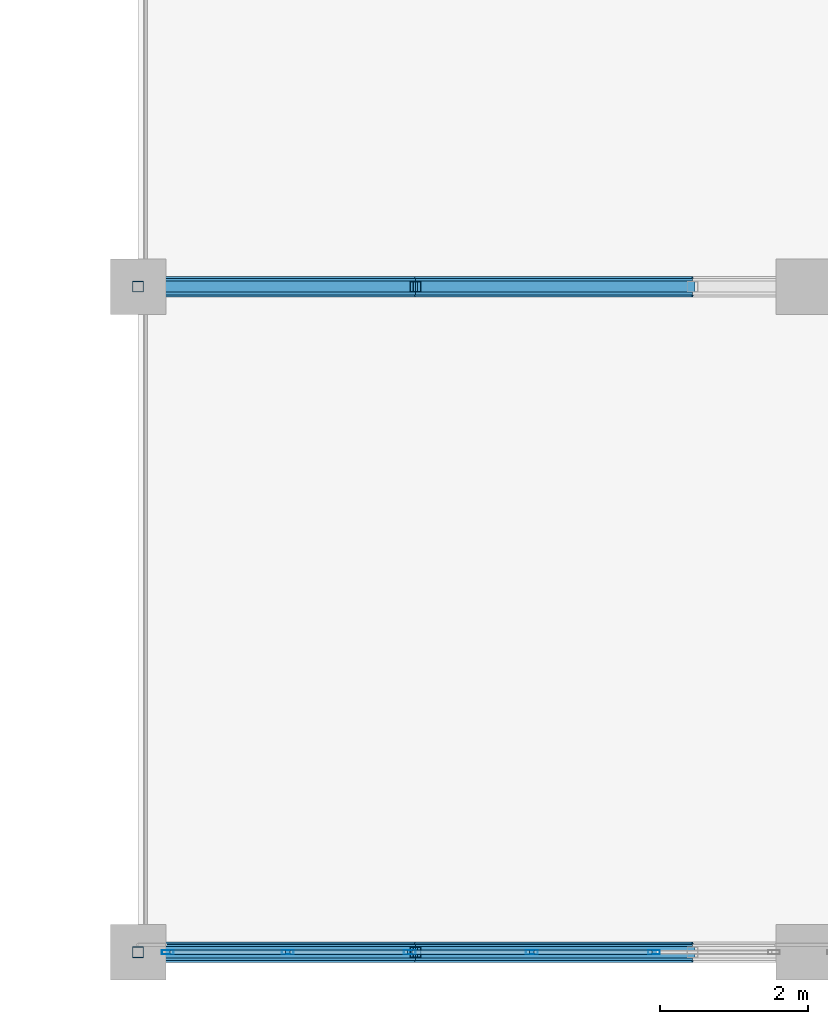
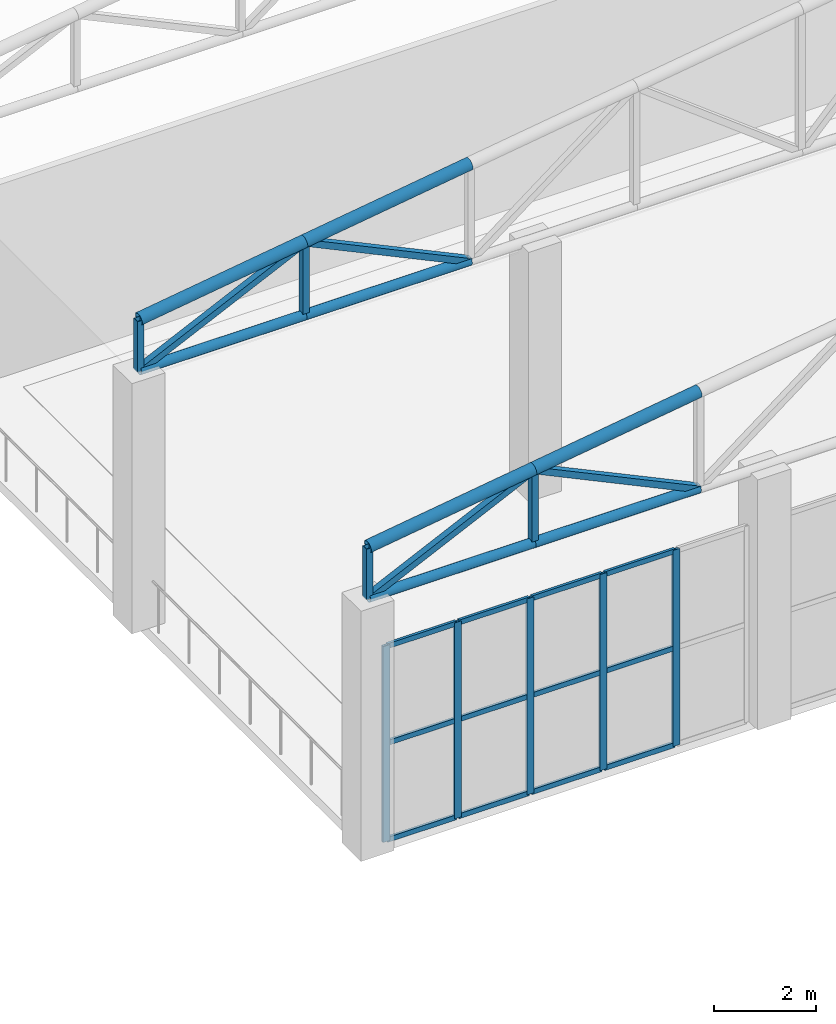
# One storey, part 42 of 223: 33 members, 1 element without a shape of its own.
"""IFC4 building model written with IfcOpenShell, lengths in metres."""

from ifc_helpers import new_model, si_unit, direction, frame, origin, origin_2d, place, context, subcontext, project, spatial, hollow_rectangle, hollow_circle, extrude, material, layer, layer_set, material_profile, profile_set, type_object, element, aggregate, save


model = new_model("IFC4")

# Units and contexts
model_context = context("Model", 3, precision=1e-05, world=origin(), true_north=direction((0.0, 1.0)))
body_context = subcontext(model_context, "Body", "Model", "MODEL_VIEW")
ifc_project = project(units=[si_unit("LENGTHUNIT", "METRE"), si_unit("AREAUNIT", "SQUARE_METRE"), si_unit("VOLUMEUNIT", "CUBIC_METRE"), si_unit("PLANEANGLEUNIT", "RADIAN"), si_unit("MASSUNIT", "GRAM", prefix="KILO")], contexts=[model_context])

# Site, building, storey
site_placement = place(None, origin())
site = spatial("IfcSite", under=ifc_project, at=site_placement, CompositionType="ELEMENT")
building_placement = place(site_placement, origin())
building = spatial("IfcBuilding", under=site, at=building_placement, Name="Dornveld Trade and Exhibition Forum", CompositionType="ELEMENT")
storey_placement = place(building_placement, frame((0.0, 0.0, 6.0)))
storey = spatial("IfcBuildingStorey", under=building, at=storey_placement, Name="L01", CompositionType="ELEMENT", Elevation=6.0)

# Curtain wall, members
ifc_material_1 = material(Name="Dark-bronze anodised aluminium and low-E glass", Category="aluminium")
ifc_layer = layer(ifc_material_1, 0.1630859375)
ifc_layer_set = layer_set([ifc_layer], Name="Dark-bronze anodised aluminium and low-E glass")
curtain_wall_type = type_object("IfcCurtainWallType", Name="CW-SYS-07", PredefinedType="USERDEFINED", material=ifc_layer_set)
curtain_wall_placement = place(storey_placement, origin())
curtain_wall = element("IfcCurtainWall", 1, at=curtain_wall_placement, inside=storey, type_object=curtain_wall_type, Name="L01 unitised curtain wall 133", ObjectType="UNITISED_CURTAIN_WALL", PredefinedType="USERDEFINED")
ifc_material_2 = material(Name="Dark-bronze anodised aluminium", Category="aluminium")
ifc_material_profile_1 = material_profile(ifc_material_2, hollow_rectangle(XDim=0.06005859375, YDim=0.159912109375, WallThickness=0.00390625, at=origin_2d()), Name="RHS 160x60x4")
ifc_profile_set_1 = profile_set([ifc_material_profile_1], Name="Dark-bronze anodised aluminium")
member_type_1 = type_object("IfcMemberType", Name="CW-MUL-160", PredefinedType="MULLION", material=ifc_profile_set_1)
member_1_placement = place(storey_placement, frame((153.40087890625, 0.0, -0.00390625), z_axis=(0.0, 0.0, 1.0), x_axis=(0.0, 1.0, 0.0)))
member_1 = element("IfcMember", 2, at=member_1_placement, type_object=member_type_1, Name="CW-07 mullion 1", PredefinedType="MULLION", context=body_context, shape_type="SweptSolid", body=[
    extrude(hollow_rectangle(XDim=0.06005859375, YDim=0.159912109375, WallThickness=0.00390625, at=origin_2d()), origin(), (0.0, 0.0, 1.0), 4.703857421875),
])
member_2_placement = place(storey_placement, frame((155.022705078125, 0.0, -0.00390625), z_axis=(0.0, 0.0, 1.0), x_axis=(0.0, 1.0, 0.0)))
member_2 = element("IfcMember", 3, at=member_2_placement, type_object=member_type_1, Name="CW-07 mullion 2", PredefinedType="MULLION", context=body_context, shape_type="SweptSolid", body=[
    extrude(hollow_rectangle(XDim=0.06005859375, YDim=0.159912109375, WallThickness=0.00390625, at=origin_2d()), origin(), (0.0, 0.0, 1.0), 4.703857421875),
])
member_3_placement = place(storey_placement, frame((156.67431640625, 0.0, -0.00390625), z_axis=(0.0, 0.0, 1.0), x_axis=(0.0, 1.0, 0.0)))
member_3 = element("IfcMember", 4, at=member_3_placement, type_object=member_type_1, Name="CW-07 mullion 3", PredefinedType="MULLION", context=body_context, shape_type="SweptSolid", body=[
    extrude(hollow_rectangle(XDim=0.06005859375, YDim=0.159912109375, WallThickness=0.00390625, at=origin_2d()), origin(), (0.0, 0.0, 1.0), 4.703857421875),
])
member_4_placement = place(storey_placement, frame((158.32568359375, 0.0, -0.00390625), z_axis=(0.0, 0.0, 1.0), x_axis=(0.0, 1.0, 0.0)))
member_4 = element("IfcMember", 5, at=member_4_placement, type_object=member_type_1, Name="CW-07 mullion 4", PredefinedType="MULLION", context=body_context, shape_type="SweptSolid", body=[
    extrude(hollow_rectangle(XDim=0.06005859375, YDim=0.159912109375, WallThickness=0.00390625, at=origin_2d()), origin(), (0.0, 0.0, 1.0), 4.703857421875),
])
member_5_placement = place(storey_placement, frame((159.977294921875, 0.0, -0.00390625), z_axis=(0.0, 0.0, 1.0), x_axis=(0.0, 1.0, 0.0)))
member_5 = element("IfcMember", 6, at=member_5_placement, type_object=member_type_1, Name="CW-07 mullion 5", PredefinedType="MULLION", context=body_context, shape_type="SweptSolid", body=[
    extrude(hollow_rectangle(XDim=0.06005859375, YDim=0.159912109375, WallThickness=0.00390625, at=origin_2d()), origin(), (0.0, 0.0, 1.0), 4.703857421875),
])
ifc_material_3 = material(Name="Dark-bronze anodised aluminium", Category="aluminium")
ifc_material_profile_2 = material_profile(ifc_material_3, hollow_rectangle(XDim=0.06005859375, YDim=0.1201171875, WallThickness=0.00390625, at=origin_2d()), Name="RHS 120x60x4")
ifc_profile_set_2 = profile_set([ifc_material_profile_2], Name="Dark-bronze anodised aluminium")
member_type_2 = type_object("IfcMemberType", Name="CW-TRN-120", PredefinedType="USERDEFINED", material=ifc_profile_set_2)
member_6_placement = place(storey_placement, frame((153.430908203125, 0.0, 0.02587890625), z_axis=(1.0, 0.0, 0.0), x_axis=(0.0, 1.0, 0.0)))
member_6 = element("IfcMember", 7, at=member_6_placement, type_object=member_type_2, Name="CW-07 transom 1.1", ObjectType="TRANSOM", PredefinedType="USERDEFINED", context=body_context, shape_type="SweptSolid", body=[
    extrude(hollow_rectangle(XDim=0.06005859375, YDim=0.1201171875, WallThickness=0.00390625, at=origin_2d()), origin(), (0.0, 0.0, 1.0), 1.561767578125),
])
member_7_placement = place(storey_placement, frame((153.430908203125, 0.0, 2.347900390625), z_axis=(1.0, 0.0, 0.0), x_axis=(0.0, 1.0, 0.0)))
member_7 = element("IfcMember", 8, at=member_7_placement, type_object=member_type_2, Name="CW-07 transom 1.2", ObjectType="TRANSOM", PredefinedType="USERDEFINED", context=body_context, shape_type="SweptSolid", body=[
    extrude(hollow_rectangle(XDim=0.06005859375, YDim=0.1201171875, WallThickness=0.00390625, at=origin_2d()), origin(), (0.0, 0.0, 1.0), 1.561767578125),
])
member_8_placement = place(storey_placement, frame((153.430908203125, 0.0, 4.669921875), z_axis=(1.0, 0.0, 0.0), x_axis=(0.0, 1.0, 0.0)))
member_8 = element("IfcMember", 9, at=member_8_placement, type_object=member_type_2, Name="CW-07 transom 1.3", ObjectType="TRANSOM", PredefinedType="USERDEFINED", context=body_context, shape_type="SweptSolid", body=[
    extrude(hollow_rectangle(XDim=0.06005859375, YDim=0.1201171875, WallThickness=0.00390625, at=origin_2d()), origin(), (0.0, 0.0, 1.0), 1.561767578125),
])
member_9_placement = place(storey_placement, frame((155.052490234375, 0.0, 0.02587890625), z_axis=(1.0, 0.0, 0.0), x_axis=(0.0, 1.0, 0.0)))
member_9 = element("IfcMember", 10, at=member_9_placement, type_object=member_type_2, Name="CW-07 transom 2.1", ObjectType="TRANSOM", PredefinedType="USERDEFINED", context=body_context, shape_type="SweptSolid", body=[
    extrude(hollow_rectangle(XDim=0.06005859375, YDim=0.1201171875, WallThickness=0.00390625, at=origin_2d()), origin(), (0.0, 0.0, 1.0), 1.591796875),
])
member_10_placement = place(storey_placement, frame((155.052490234375, 0.0, 2.347900390625), z_axis=(1.0, 0.0, 0.0), x_axis=(0.0, 1.0, 0.0)))
member_10 = element("IfcMember", 11, at=member_10_placement, type_object=member_type_2, Name="CW-07 transom 2.2", ObjectType="TRANSOM", PredefinedType="USERDEFINED", context=body_context, shape_type="SweptSolid", body=[
    extrude(hollow_rectangle(XDim=0.06005859375, YDim=0.1201171875, WallThickness=0.00390625, at=origin_2d()), origin(), (0.0, 0.0, 1.0), 1.591796875),
])
member_11_placement = place(storey_placement, frame((155.052490234375, 0.0, 4.669921875), z_axis=(1.0, 0.0, 0.0), x_axis=(0.0, 1.0, 0.0)))
member_11 = element("IfcMember", 12, at=member_11_placement, type_object=member_type_2, Name="CW-07 transom 2.3", ObjectType="TRANSOM", PredefinedType="USERDEFINED", context=body_context, shape_type="SweptSolid", body=[
    extrude(hollow_rectangle(XDim=0.06005859375, YDim=0.1201171875, WallThickness=0.00390625, at=origin_2d()), origin(), (0.0, 0.0, 1.0), 1.591796875),
])
member_12_placement = place(storey_placement, frame((156.7041015625, 0.0, 0.02587890625), z_axis=(1.0, 0.0, 0.0), x_axis=(0.0, 1.0, 0.0)))
member_12 = element("IfcMember", 13, at=member_12_placement, type_object=member_type_2, Name="CW-07 transom 3.1", ObjectType="TRANSOM", PredefinedType="USERDEFINED", context=body_context, shape_type="SweptSolid", body=[
    extrude(hollow_rectangle(XDim=0.06005859375, YDim=0.1201171875, WallThickness=0.00390625, at=origin_2d()), origin(), (0.0, 0.0, 1.0), 1.591796875),
])
member_13_placement = place(storey_placement, frame((156.7041015625, 0.0, 2.347900390625), z_axis=(1.0, 0.0, 0.0), x_axis=(0.0, 1.0, 0.0)))
member_13 = element("IfcMember", 14, at=member_13_placement, type_object=member_type_2, Name="CW-07 transom 3.2", ObjectType="TRANSOM", PredefinedType="USERDEFINED", context=body_context, shape_type="SweptSolid", body=[
    extrude(hollow_rectangle(XDim=0.06005859375, YDim=0.1201171875, WallThickness=0.00390625, at=origin_2d()), origin(), (0.0, 0.0, 1.0), 1.591796875),
])
member_14_placement = place(storey_placement, frame((156.7041015625, 0.0, 4.669921875), z_axis=(1.0, 0.0, 0.0), x_axis=(0.0, 1.0, 0.0)))
member_14 = element("IfcMember", 15, at=member_14_placement, type_object=member_type_2, Name="CW-07 transom 3.3", ObjectType="TRANSOM", PredefinedType="USERDEFINED", context=body_context, shape_type="SweptSolid", body=[
    extrude(hollow_rectangle(XDim=0.06005859375, YDim=0.1201171875, WallThickness=0.00390625, at=origin_2d()), origin(), (0.0, 0.0, 1.0), 1.591796875),
])
member_15_placement = place(storey_placement, frame((158.355712890625, 0.0, 0.02587890625), z_axis=(1.0, 0.0, 0.0), x_axis=(0.0, 1.0, 0.0)))
member_15 = element("IfcMember", 16, at=member_15_placement, type_object=member_type_2, Name="CW-07 transom 4.1", ObjectType="TRANSOM", PredefinedType="USERDEFINED", context=body_context, shape_type="SweptSolid", body=[
    extrude(hollow_rectangle(XDim=0.06005859375, YDim=0.1201171875, WallThickness=0.00390625, at=origin_2d()), origin(), (0.0, 0.0, 1.0), 1.591796875),
])
member_16_placement = place(storey_placement, frame((158.355712890625, 0.0, 2.347900390625), z_axis=(1.0, 0.0, 0.0), x_axis=(0.0, 1.0, 0.0)))
member_16 = element("IfcMember", 17, at=member_16_placement, type_object=member_type_2, Name="CW-07 transom 4.2", ObjectType="TRANSOM", PredefinedType="USERDEFINED", context=body_context, shape_type="SweptSolid", body=[
    extrude(hollow_rectangle(XDim=0.06005859375, YDim=0.1201171875, WallThickness=0.00390625, at=origin_2d()), origin(), (0.0, 0.0, 1.0), 1.591796875),
])
member_17_placement = place(storey_placement, frame((158.355712890625, 0.0, 4.669921875), z_axis=(1.0, 0.0, 0.0), x_axis=(0.0, 1.0, 0.0)))
member_17 = element("IfcMember", 18, at=member_17_placement, type_object=member_type_2, Name="CW-07 transom 4.3", ObjectType="TRANSOM", PredefinedType="USERDEFINED", context=body_context, shape_type="SweptSolid", body=[
    extrude(hollow_rectangle(XDim=0.06005859375, YDim=0.1201171875, WallThickness=0.00390625, at=origin_2d()), origin(), (0.0, 0.0, 1.0), 1.591796875),
])
aggregate(curtain_wall, [member_1, member_2, member_3, member_4, member_5, member_6, member_7, member_8, member_9, member_10, member_11, member_12, member_13, member_14, member_15, member_16, member_17])

# Members
ifc_material_4 = material(Name="Steel S355J2", Category="steel")
ifc_material_profile_3 = material_profile(ifc_material_4, hollow_rectangle(XDim=0.14990234375, YDim=0.14990234375, WallThickness=0.008056640625, at=origin_2d()), Name="SHS 150x150x8")
ifc_profile_set_3 = profile_set([ifc_material_profile_3], Name="Steel S355J2")
member_type_3 = type_object("IfcMemberType", Name="MEM-ARCH-STR", PredefinedType="STRUT", material=ifc_profile_set_3)
member_18_placement = place(storey_placement, frame((153.0, 0.0, 5.97998046875), z_axis=(0.0, 0.0, 1.0), x_axis=(1.0, 0.0, 0.0)))
element("IfcMember", 19, at=member_18_placement, inside=storey, type_object=member_type_3, Name="Congress roof truss 1 post 1", PredefinedType="STRUT", context=body_context, shape_type="SweptSolid", body=[
    extrude(hollow_rectangle(XDim=0.14990234375, YDim=0.14990234375, WallThickness=0.008056640625, at=origin_2d()), origin(), (0.0, 0.0, 1.0), 1.219970703125),
])
member_19_placement = place(storey_placement, frame((156.75, 0.0, 5.97998046875), z_axis=(0.0, 0.0, 1.0), x_axis=(1.0, 0.0, 0.0)))
element("IfcMember", 20, at=member_19_placement, inside=storey, type_object=member_type_3, Name="Congress roof truss 1 post 2", PredefinedType="STRUT", context=body_context, shape_type="SweptSolid", body=[
    extrude(hollow_rectangle(XDim=0.14990234375, YDim=0.14990234375, WallThickness=0.008056640625, at=origin_2d()), origin(), (0.0, 0.0, 1.0), 1.77001953125),
])
member_20_placement = place(storey_placement, frame((153.0, 9.0, 5.97998046875), z_axis=(0.0, 0.0, 1.0), x_axis=(1.0, 0.0, 0.0)))
element("IfcMember", 21, at=member_20_placement, inside=storey, type_object=member_type_3, Name="Congress roof truss 2 post 1", PredefinedType="STRUT", context=body_context, shape_type="SweptSolid", body=[
    extrude(hollow_rectangle(XDim=0.14990234375, YDim=0.14990234375, WallThickness=0.008056640625, at=origin_2d()), origin(), (0.0, 0.0, 1.0), 1.219970703125),
])
member_21_placement = place(storey_placement, frame((156.75, 9.0, 5.97998046875), z_axis=(0.0, 0.0, 1.0), x_axis=(1.0, 0.0, 0.0)))
element("IfcMember", 22, at=member_21_placement, inside=storey, type_object=member_type_3, Name="Congress roof truss 2 post 2", PredefinedType="STRUT", context=body_context, shape_type="SweptSolid", body=[
    extrude(hollow_rectangle(XDim=0.14990234375, YDim=0.14990234375, WallThickness=0.008056640625, at=origin_2d()), origin(), (0.0, 0.0, 1.0), 1.77001953125),
])
ifc_material_5 = material(Name="Steel S355J2", Category="steel")
ifc_material_profile_4 = material_profile(ifc_material_5, hollow_circle(Radius=0.109619140625, WallThickness=0.010009765625, at=origin_2d()), Name="CHS 219.1x10")
ifc_profile_set_4 = profile_set([ifc_material_profile_4], Name="Steel S355J2")
member_type_4 = type_object("IfcMemberType", Name="MEM-CONG-BC", PredefinedType="CHORD", material=ifc_profile_set_4)
for number, where, z_axis, x_axis, name in (
    (23, (153.0, 0.0, 5.97998046875), (1.0, 0.0, 0.0), (0.0, 1.0, 0.0), "Congress roof truss 1 bottom chord 1"),
    (24, (156.75, 0.0, 5.97998046875), (1.0, 0.0, 0.0), (0.0, 1.0, 0.0), "Congress roof truss 1 bottom chord 2"),
    (25, (153.0, 9.0, 5.97998046875), (1.0, 0.0, 0.0), (0.0, 1.0, 0.0), "Congress roof truss 2 bottom chord 1"),
    (26, (156.75, 9.0, 5.97998046875), (1.0, 0.0, 0.0), (0.0, 1.0, 0.0), "Congress roof truss 2 bottom chord 2"),
):
    element("IfcMember", number, at=place(storey_placement, frame(where, z_axis=z_axis, x_axis=x_axis)), inside=storey, type_object=member_type_4, Name=name, PredefinedType="CHORD", context=body_context, shape_type="SweptSolid", body=[
        extrude(hollow_circle(Radius=0.109619140625, WallThickness=0.010009765625, at=origin_2d()), origin(), (0.0, 0.0, 1.0), 3.75),
    ])
ifc_material_6 = material(Name="Steel S355J2", Category="steel")
ifc_material_profile_5 = material_profile(ifc_material_6, hollow_circle(Radius=0.136474609375, WallThickness=0.012451171875, at=origin_2d()), Name="CHS 273x12.5")
ifc_profile_set_5 = profile_set([ifc_material_profile_5], Name="Steel S355J2")
member_type_5 = type_object("IfcMemberType", Name="MEM-CONG-TC", PredefinedType="CHORD", material=ifc_profile_set_5)
for number, where, z_axis, x_axis, name in (
    (27, (153.0, 0.0, 7.199951171875), (0.989413064489, 0.0, 0.145126799108), (0.0, 1.0, 0.0), "Congress roof truss 1 top chord 1"),
    (28, (156.75, 0.0, 7.75), (0.989413064489, 0.0, 0.145126799108), (0.0, 1.0, 0.0), "Congress roof truss 1 top chord 2"),
    (29, (153.0, 9.0, 7.199951171875), (0.989413064489, 0.0, 0.145126799108), (0.0, 1.0, 0.0), "Congress roof truss 2 top chord 1"),
    (30, (156.75, 9.0, 7.75), (0.989413064489, 0.0, 0.145126799108), (0.0, 1.0, 0.0), "Congress roof truss 2 top chord 2"),
):
    element("IfcMember", number, at=place(storey_placement, frame(where, z_axis=z_axis, x_axis=x_axis)), inside=storey, type_object=member_type_5, Name=name, PredefinedType="CHORD", context=body_context, shape_type="SweptSolid", body=[
        extrude(hollow_circle(Radius=0.136474609375, WallThickness=0.012451171875, at=origin_2d()), origin(), (0.0, 0.0, 1.0), 3.7900390625),
    ])
ifc_material_7 = material(Name="Steel S355J2", Category="steel")
ifc_material_profile_6 = material_profile(ifc_material_7, hollow_rectangle(XDim=0.14990234375, YDim=0.14990234375, WallThickness=0.008056640625, at=origin_2d()), Name="SHS 150x150x8")
ifc_profile_set_6 = profile_set([ifc_material_profile_6], Name="Steel S355J2")
member_type_6 = type_object("IfcMemberType", Name="MEM-CONG-WEB", PredefinedType="BRACE", material=ifc_profile_set_6)
for number, where, z_axis, x_axis, name in (
    (31, (153.0, 0.0, 5.97998046875), (0.904324408902, 0.0, 0.426845831025), (0.0, 1.0, 0.0), "Congress roof truss 1 web 1"),
    (32, (160.5, 0.0, 5.97998046875), (-0.904324408902, 0.0, 0.426845831025), (0.0, -1.0, 0.0), "Congress roof truss 1 web 2"),
    (33, (153.0, 9.0, 5.97998046875), (0.904324408902, 0.0, 0.426845831025), (0.0, 1.0, 0.0), "Congress roof truss 2 web 1"),
    (34, (160.5, 9.0, 5.97998046875), (-0.904324408902, 0.0, 0.426845831025), (0.0, -1.0, 0.0), "Congress roof truss 2 web 2"),
):
    element("IfcMember", number, at=place(storey_placement, frame(where, z_axis=z_axis, x_axis=x_axis)), inside=storey, type_object=member_type_6, Name=name, PredefinedType="BRACE", context=body_context, shape_type="SweptSolid", body=[
        extrude(hollow_rectangle(XDim=0.14990234375, YDim=0.14990234375, WallThickness=0.008056640625, at=origin_2d()), origin(), (0.0, 0.0, 1.0), 4.146728515625),
    ])

save(model, "model.ifc")
